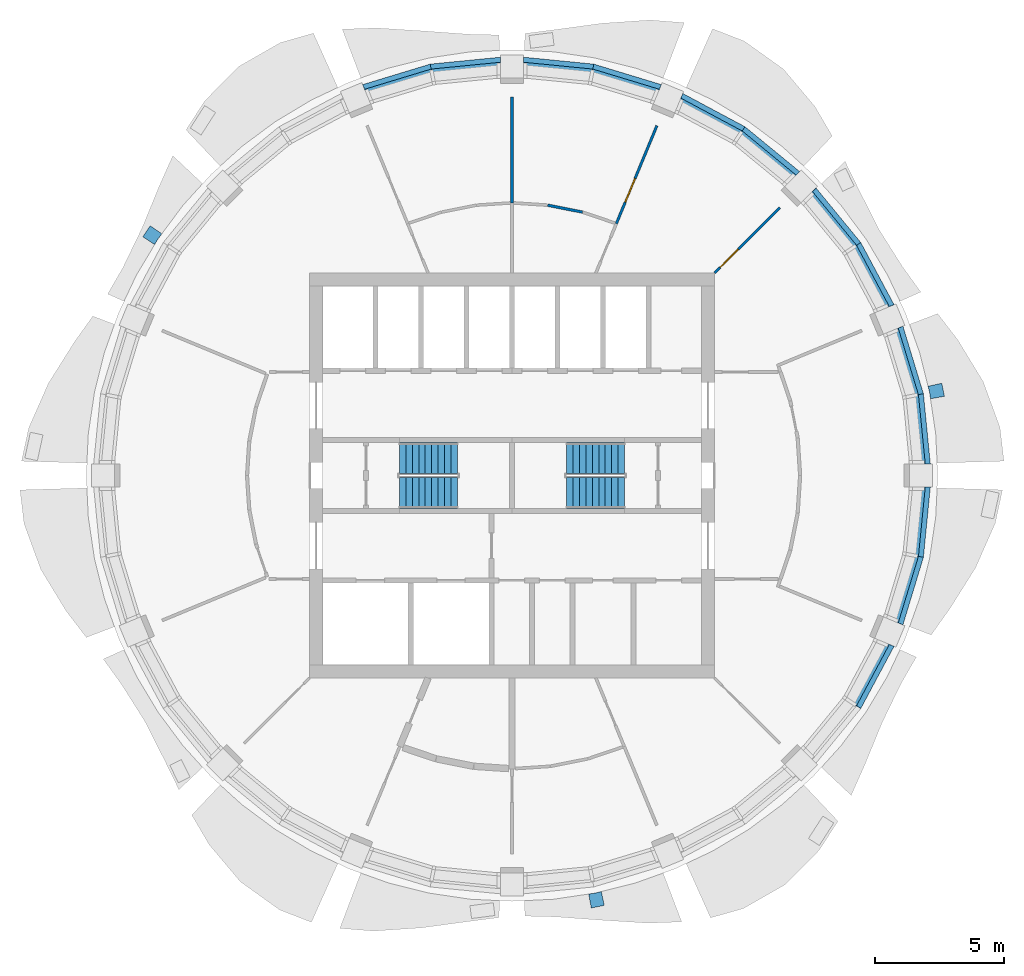
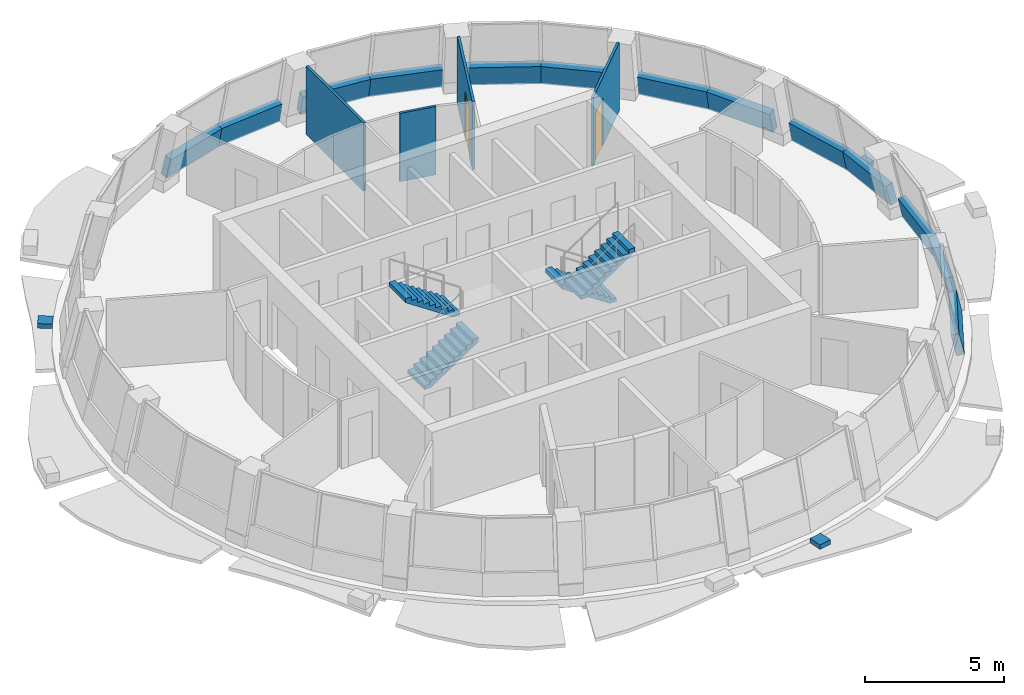
# One storey, part 7 of 11: 17 walls, 4 stair flights, 3 discrete accessories, 2 doors, 2 openings, 2 elements without a shape of their own.
"""IFC4 building model written with IfcOpenShell, lengths in metres."""

from ifc_helpers import new_model, si_unit, direction, frame, frame_2d, origin, place, context, subcontext, project, spatial, polyline, rectangle, outline, extrude, material, layer, layer_set, type_object, element, fill, aggregate, save


model = new_model("IFC4")

# Units and contexts
model_context = context("Model", 3, precision=1e-05, world=origin(), true_north=direction((0.0, 1.0)))
body_context = subcontext(model_context, "Body", "Model", "MODEL_VIEW")
ifc_project = project(units=[si_unit("LENGTHUNIT", "METRE"), si_unit("AREAUNIT", "SQUARE_METRE"), si_unit("VOLUMEUNIT", "CUBIC_METRE"), si_unit("PLANEANGLEUNIT", "RADIAN"), si_unit("MASSUNIT", "GRAM", prefix="KILO")], contexts=[model_context])

# Site, building, storey
site_placement = place(None, origin())
site = spatial("IfcSite", under=ifc_project, at=site_placement, CompositionType="ELEMENT")
building_placement = place(site_placement, origin())
building = spatial("IfcBuilding", under=site, at=building_placement, Name="Polderwave Tower", CompositionType="ELEMENT")
storey_placement = place(building_placement, frame((0.0, 0.0, 214.449951171875)))
storey = spatial("IfcBuildingStorey", under=building, at=storey_placement, Name="L58", CompositionType="ELEMENT", Elevation=214.449951171875)

# Walls
ifc_material_1 = material(Name="Concrete C50/60 (board-marked)", Category="concrete")
ifc_layer_1 = layer(ifc_material_1, 0.300048828125)
ifc_layer_set_1 = layer_set([ifc_layer_1], Name="Concrete spandrel upstand C50/60")
wall_type_1 = type_object("IfcWallType", Name="Concrete spandrel upstand C50/60", PredefinedType="SOLIDWALL", material=ifc_layer_set_1)
wall_1_placement = place(storey_placement, frame((16.260986328125, 0.452880859375, 0.0), z_axis=(0.972475963284, 0.095823605844, 0.212387234548), x_axis=(-0.098059870947, 0.995180517138, -4.32304e-06)))
element("IfcWall", 1, at=wall_1_placement, inside=storey, type_object=wall_type_1, Name="Spandrel L58 1a", PredefinedType="SOLIDWALL", context=body_context, shape_type="SweptSolid", body=[
    extrude(outline(polyline([(0.0, 0.0), (2.741723969103409, -1.3877787807814457e-17), (2.72248764532599, 0.9211743091072553), (0.01926812916566697, 0.9211502208366106), (0.0, 0.0)])), origin(), (0.0, 0.0, -1.0), 0.300048828125),
])
wall_2_placement = place(storey_placement, frame((15.9921875, 3.181396484375, 0.0), z_axis=(0.935080384239, 0.283705614751, 0.212451874952), x_axis=(-0.29033326808, 0.956925594519, -1.036426e-06)))
element("IfcWall", 2, at=wall_2_placement, inside=storey, type_object=wall_type_1, Name="Spandrel L58 1b", PredefinedType="SOLIDWALL", context=body_context, shape_type="SweptSolid", body=[
    extrude(outline(polyline([(0.0, 0.0), (2.7413701091415827, 0.0), (2.721915548947118, 0.9211783980205197), (0.019316929233884256, 0.921172623937655), (0.0, 0.0)])), origin(), (0.0, 0.0, -1.0), 0.300048828125),
])
wall_3_placement = place(storey_placement, frame((14.850341796875, 6.640869140625, 0.0), z_axis=(0.861652072417, 0.460882647705, 0.212468565072), x_axis=(-0.471651621526, 0.881784978275, 9.49098e-07)))
element("IfcWall", 3, at=wall_3_placement, inside=storey, type_object=wall_type_1, Name="Spandrel L58 2a", PredefinedType="SOLIDWALL", context=body_context, shape_type="SweptSolid", body=[
    extrude(outline(polyline([(0.0, 0.0), (2.7418591989936596, 2.7755575615628914e-17), (2.7227801463709156, 0.9211762873854703), (0.019696281501502436, 0.9211815759173496), (0.0, 0.0)])), origin(), (0.0, 0.0, -1.0), 0.300048828125),
])
wall_4_placement = place(storey_placement, frame((13.55712890625, 9.05859375, 0.0), z_axis=(0.755471298397, 0.619786234014, 0.212433851881), x_axis=(-0.634262895906, 0.77311744184, -6.31883e-07)))
element("IfcWall", 4, at=wall_4_placement, inside=storey, type_object=wall_type_1, Name="Spandrel L58 2b", PredefinedType="SOLIDWALL", context=body_context, shape_type="SweptSolid", body=[
    extrude(outline(polyline([(0.0, 0.0), (2.741026727762195, 5.551115123125783e-17), (2.721891888042317, 0.9211735773781955), (0.019377518066993598, 0.9211700573549708), (0.0, 0.0)])), origin(), (0.0, 0.0, -1.0), 0.300048828125),
])
wall_5_placement = place(storey_placement, frame((11.177734375, 11.818603515625, 0.0), z_axis=(0.619753676079, 0.755475436425, 0.21251410764), x_axis=(-0.773134668693, 0.6342418971, -5.274869e-06)))
element("IfcWall", 5, at=wall_5_placement, inside=storey, type_object=wall_type_1, Name="Spandrel L58 3a", PredefinedType="SOLIDWALL", context=body_context, shape_type="SweptSolid", body=[
    extrude(outline(polyline([(0.0, 0.0), (2.741026726929954, 0.0), (2.7218379603471505, 0.9212029611358797), (0.01913483806120599, 0.9211735749362499), (0.0, 0.0)])), origin(), (0.0, 0.0, -1.0), 0.300048828125),
])
wall_6_placement = place(storey_placement, frame((9.05859375, 13.55712890625, 0.0), z_axis=(0.460882647705, 0.861652072417, 0.212468565072), x_axis=(-0.881784978275, 0.471651621526, -9.49098e-07)))
element("IfcWall", 6, at=wall_6_placement, inside=storey, type_object=wall_type_1, Name="Spandrel L58 3b", PredefinedType="SOLIDWALL", context=body_context, shape_type="SweptSolid", body=[
    extrude(outline(polyline([(0.0, 0.0), (2.7418591989936596, -2.7755575615628914e-17), (2.7221629174921573, 0.9211815759173496), (0.019079052622744255, 0.9211762873854703), (0.0, 0.0)])), origin(), (0.0, 0.0, -1.0), 0.300048828125),
])
wall_7_placement = place(storey_placement, frame((5.8046875, 15.1962890625, 0.0), z_axis=(0.283687617525, 0.935121689346, 0.212294045554), x_axis=(-0.956933882554, 0.290305949635, -5.166321e-06)))
element("IfcWall", 7, at=wall_7_placement, inside=storey, type_object=wall_type_1, Name="Spandrel L58 4a", PredefinedType="SOLIDWALL", context=body_context, shape_type="SweptSolid", body=[
    extrude(outline(polyline([(0.0, 0.0), (2.741370108362449, 5.551115123125783e-17), (2.721819555930654, 0.921157566446272), (0.01952543967357733, 0.9211287867171416), (0.0, 0.0)])), origin(), (0.0, 0.0, -1.0), 0.300048828125),
])
wall_8_placement = place(storey_placement, frame((3.181396484375, 15.9921875, 0.0), z_axis=(0.095777528292, 0.972452991972, 0.212513160717), x_axis=(-0.995184694371, 0.098017468169, -4.940706e-06)))
element("IfcWall", 8, at=wall_8_placement, inside=storey, type_object=wall_type_1, Name="Spandrel L58 4b", PredefinedType="SOLIDWALL", context=body_context, shape_type="SweptSolid", body=[
    extrude(outline(polyline([(0.0, 0.0), (2.7417239689303967, 6.938893903907228e-18), (2.7224319045439445, 0.9212018391941157), (0.019236323432608737, 0.921174308599514), (0.0, 0.0)])), origin(), (0.0, 0.0, -1.0), 0.300048828125),
])
wall_9_placement = place(storey_placement, frame((-0.452880859375, 16.260986328125, 0.0), z_axis=(-0.095823605844, 0.972475963284, 0.212387234548), x_axis=(-0.995180517138, -0.098059870947, -4.32304e-06)))
element("IfcWall", 9, at=wall_9_placement, inside=storey, type_object=wall_type_1, Name="Spandrel L58 5a", PredefinedType="SOLIDWALL", context=body_context, shape_type="SweptSolid", body=[
    extrude(outline(polyline([(0.0, 0.0), (2.741723969103409, -1.3877787807814457e-17), (2.72248764532599, 0.9211743091072553), (0.01926812916566697, 0.9211502208366106), (0.0, 0.0)])), origin(), (0.0, 0.0, -1.0), 0.300048828125),
])
wall_10_placement = place(storey_placement, frame((-3.181396484375, 15.9921875, 0.0), z_axis=(-0.283705614751, 0.935080384239, 0.212451874952), x_axis=(-0.956925594519, -0.29033326808, -1.036426e-06)))
element("IfcWall", 10, at=wall_10_placement, inside=storey, type_object=wall_type_1, Name="Spandrel L58 5b", PredefinedType="SOLIDWALL", context=body_context, shape_type="SweptSolid", body=[
    extrude(outline(polyline([(0.0, 0.0), (2.7413701091415827, 0.0), (2.721915548947118, 0.9211783980205197), (0.019316929233884256, 0.921172623937655), (0.0, 0.0)])), origin(), (0.0, 0.0, -1.0), 0.300048828125),
])
wall_11_placement = place(storey_placement, frame((13.55712890625, -9.05859375, 0.0), z_axis=(0.861652072417, -0.460882647705, 0.212468565072), x_axis=(0.471651621526, 0.881784978275, -9.49098e-07)))
element("IfcWall", 11, at=wall_11_placement, inside=storey, type_object=wall_type_1, Name="Spandrel L58 15b", PredefinedType="SOLIDWALL", context=body_context, shape_type="SweptSolid", body=[
    extrude(outline(polyline([(0.0, 0.0), (2.7418591989936596, -2.7755575615628914e-17), (2.7221629174921573, 0.9211815759173496), (0.019079052622744255, 0.9211762873854703), (0.0, 0.0)])), origin(), (0.0, 0.0, -1.0), 0.300048828125),
])
wall_12_placement = place(storey_placement, frame((15.1962890625, -5.8046875, 0.0), z_axis=(0.935121689346, -0.283687617525, 0.212294045554), x_axis=(0.290305949635, 0.956933882554, -5.166321e-06)))
element("IfcWall", 12, at=wall_12_placement, inside=storey, type_object=wall_type_1, Name="Spandrel L58 16a", PredefinedType="SOLIDWALL", context=body_context, shape_type="SweptSolid", body=[
    extrude(outline(polyline([(0.0, 0.0), (2.741370108362449, 5.551115123125783e-17), (2.721819555930654, 0.921157566446272), (0.01952543967357733, 0.9211287867171416), (0.0, 0.0)])), origin(), (0.0, 0.0, -1.0), 0.300048828125),
])
wall_13_placement = place(storey_placement, frame((15.9921875, -3.181396484375, 0.0), z_axis=(0.972452991972, -0.095777528292, 0.212513160717), x_axis=(0.098017468169, 0.995184694371, -4.940706e-06)))
element("IfcWall", 13, at=wall_13_placement, inside=storey, type_object=wall_type_1, Name="Spandrel L58 16b", PredefinedType="SOLIDWALL", context=body_context, shape_type="SweptSolid", body=[
    extrude(outline(polyline([(0.0, 0.0), (2.7417239689303967, 6.938893903907228e-18), (2.7224319045439445, 0.9212018391941157), (0.019236323432608737, 0.921174308599514), (0.0, 0.0)])), origin(), (0.0, 0.0, -1.0), 0.300048828125),
])

# Wall, opening, door
ifc_material_2 = material(Name="Plasterboard on steel studs", Category="steel")
ifc_layer_2 = layer(ifc_material_2, 0.10009765625)
ifc_layer_set_2 = layer_set([ifc_layer_2], Name="Partition 100 mm plasterboard on steel studs")
wall_type_2 = type_object("IfcWallType", Name="Partition 100 mm plasterboard on steel studs", PredefinedType="PARTITIONING", material=ifc_layer_set_2)
wall_14_placement = place(storey_placement, frame((7.8740234375, 7.8740234375, 0.0), z_axis=(0.0, 0.0, 1.0), x_axis=(0.707106781187, 0.707106781187, 0.0)))
wall_14 = element("IfcWall", 14, at=wall_14_placement, inside=storey, type_object=wall_type_2, Name="IN-L58-W021", PredefinedType="PARTITIONING", context=body_context, shape_type="SweptSolid", body=[
    extrude(rectangle(XDim=3.58447265625, YDim=0.10009765625, at=frame_2d((1.792236328125, 0.0))), origin(), (0.0, 0.0, 1.0), 3.0),
])
opening_1_placement = place(wall_14_placement, frame((0.300048828125, 0.0, 0.0)))
opening_1 = element("IfcOpeningElement", 15, at=opening_1_placement, cuts=wall_14, Name="Opening L58-D56", PredefinedType="OPENING", context=body_context, shape_type="SweptSolid", body=[
    extrude(rectangle(XDim=1.0, YDim=2.10009765625, at=frame_2d((0.5, 1.050048828125))), frame((0.0, 0.06005859375, 0.0), z_axis=(0.0, -1.0, 0.0), x_axis=(1.0, 0.0, 0.0)), (0.0, 0.0, 1.0), 0.1201171875),
])
ifc_material_3 = material(Name="Timber veneer door leaf", Category="wood")
door_type = type_object("IfcDoorType", Name="Single door 1000 x 2100", OperationType="NOTDEFINED", PredefinedType="DOOR", material=ifc_material_3)
door_1_placement = place(opening_1_placement, origin())
door_1 = element("IfcDoor", 16, at=door_1_placement, inside=storey, type_object=door_type, Name="Door L58-D56", OperationType="SINGLE_SWING_LEFT", OverallHeight=2.10009765625, OverallWidth=1.0, PredefinedType="DOOR", context=body_context, shape_type="SweptSolid", body=[
    extrude(rectangle(XDim=1.0, YDim=2.10009765625, at=frame_2d((0.5, 1.050048828125))), frame((0.0, 0.02490234375, 0.0), z_axis=(0.0, -1.0, 0.0), x_axis=(1.0, 0.0, 0.0)), (0.0, 0.0, 1.0), 0.050048828125),
])
fill(opening_1, door_1)

wall_15_placement = place(storey_placement, frame((4.056396484375, 9.793212890625, 0.0), z_axis=(0.0, 0.0, 1.0), x_axis=(0.382683247702, 0.923879609001, 0.0)))
wall_15 = element("IfcWall", 17, at=wall_15_placement, inside=storey, type_object=wall_type_2, Name="IN-L58-W027", PredefinedType="PARTITIONING", context=body_context, shape_type="SweptSolid", body=[
    extrude(rectangle(XDim=4.1201171875, YDim=0.10009765625, at=frame_2d((2.06005859375, 0.0))), origin(), (0.0, 0.0, 1.0), 3.0),
])
opening_2_placement = place(wall_15_placement, frame((0.89990234375, 0.0, 0.0)))
opening_2 = element("IfcOpeningElement", 18, at=opening_2_placement, cuts=wall_15, Name="Opening L58-D58", PredefinedType="OPENING", context=body_context, shape_type="SweptSolid", body=[
    extrude(rectangle(XDim=1.0, YDim=2.10009765625, at=frame_2d((0.5, 1.050048828125))), frame((0.0, 0.06005859375, 0.0), z_axis=(0.0, -1.0, 0.0), x_axis=(1.0, 0.0, 0.0)), (0.0, 0.0, 1.0), 0.1201171875),
])
door_2_placement = place(opening_2_placement, origin())
door_2 = element("IfcDoor", 19, at=door_2_placement, inside=storey, type_object=door_type, Name="Door L58-D58", OperationType="SINGLE_SWING_LEFT", OverallHeight=2.10009765625, OverallWidth=1.0, PredefinedType="DOOR", context=body_context, shape_type="SweptSolid", body=[
    extrude(rectangle(XDim=1.0, YDim=2.10009765625, at=frame_2d((0.5, 1.050048828125))), frame((0.0, 0.02490234375, 0.0), z_axis=(0.0, -1.0, 0.0), x_axis=(1.0, 0.0, 0.0)), (0.0, 0.0, 1.0), 0.050048828125),
])
fill(opening_2, door_2)

# Walls
ifc_material_4 = material(Name="Moisture-resistant board on steel studs, tiled", Category="steel")
ifc_layer_3 = layer(ifc_material_4, 0.10498046875)
ifc_layer_set_3 = layer_set([ifc_layer_3], Name="Partition 105 mm wet room board and tile")
wall_type_3 = type_object("IfcWallType", Name="Partition 105 mm wet room board and tile", PredefinedType="PARTITIONING", material=ifc_layer_set_3)
wall_16_placement = place(storey_placement, frame((1.386962890625, 10.508544921875, 0.0), z_axis=(0.0, 0.0, 1.0), x_axis=(0.980797886825, -0.195026934551, 0.0)))
element("IfcWall", 20, at=wall_16_placement, inside=storey, type_object=wall_type_3, Name="IN-L58-W023", PredefinedType="PARTITIONING", context=body_context, shape_type="SweptSolid", body=[
    extrude(rectangle(XDim=1.379638671875, YDim=0.10498046875, at=frame_2d((0.68994140625, 0.0))), origin(), (0.0, 0.0, 1.0), 3.0),
])
ifc_material_5 = material(Name="Acoustic double plasterboard on steel studs", Category="steel")
ifc_layer_4 = layer(ifc_material_5, 0.110107421875)
ifc_layer_set_4 = layer_set([ifc_layer_4], Name="Partition 110 mm acoustic double board")
wall_type_4 = type_object("IfcWallType", Name="Partition 110 mm acoustic double board", PredefinedType="PARTITIONING", material=ifc_layer_set_4)
wall_17_placement = place(storey_placement, frame((0.0, 10.60009765625, 0.0), z_axis=(0.0, 0.0, 1.0), x_axis=(0.0, 1.0, 0.0)))
element("IfcWall", 21, at=wall_17_placement, inside=storey, type_object=wall_type_4, Name="IN-L58-W028", PredefinedType="PARTITIONING", context=body_context, shape_type="SweptSolid", body=[
    extrude(rectangle(XDim=4.119873046875, YDim=0.110107421875, at=frame_2d((2.06005859375, 0.0))), origin(), (0.0, 0.0, 1.0), 3.0),
])

# Stair, stair flights
ifc_material_6 = material(Name="Concrete C40/50", Category="concrete")
stair_type = type_object("IfcStairType", Name="Exit stair 1200 x 20 risers", PredefinedType="HALF_TURN_STAIR", material=ifc_material_6)
stair_1_placement = place(storey_placement, origin())
stair_1 = element("IfcStair", 22, at=stair_1_placement, inside=storey, type_object=stair_type, Name="L58 Exit stair A", PredefinedType="HALF_TURN_STAIR")
stair_flight_type = type_object("IfcStairFlightType", Name="Stair flight 1200", PredefinedType="STRAIGHT", material=ifc_material_6)
stair_flight_1_placement = place(storey_placement, frame((-4.3740234375, -0.675048828125, 0.0), z_axis=(0.0, 0.0, 1.0), x_axis=(1.0, 0.0, 0.0)))
stair_flight_1 = element("IfcStairFlight", 23, at=stair_flight_1_placement, type_object=stair_flight_type, Name="ST-A flight 1", NumberOfRisers=10, NumberOfTreads=9, PredefinedType="STRAIGHT", RiserHeight=0.1675, TreadLength=0.25, context=body_context, shape_type="SweptSolid", body=[
    extrude(outline(polyline([(0.0, 0.0), (0.0, 0.16748046875), (0.25, 0.16748046875), (0.25, 0.3349609375), (0.5, 0.3349609375), (0.5, 0.50244140625), (0.75, 0.50244140625), (0.75, 0.669921875), (1.0, 0.669921875), (1.0, 0.83740234375), (1.25, 0.83740234375), (1.25, 1.0048828125), (1.5, 1.0048828125), (1.5, 1.172607421875), (1.75, 1.172607421875), (1.75, 1.340087890625), (2.0, 1.340087890625), (2.0, 1.507568359375), (2.25, 1.507568359375), (2.25, 1.675048828125), (2.25, 1.3271484375), (0.269287109375, 0.0), (0.0, 0.0)])), frame((0.0, 0.60009765625, 0.0), z_axis=(0.0, -1.0, 0.0), x_axis=(1.0, 0.0, 0.0)), (0.0, 0.0, 1.0), 1.199951171875),
])
stair_flight_2_placement = place(storey_placement, frame((-2.1240234375, 0.675048828125, 1.675048828125), z_axis=(0.0, 0.0, 1.0), x_axis=(-1.0, 0.0, 0.0)))
stair_flight_2 = element("IfcStairFlight", 24, at=stair_flight_2_placement, type_object=stair_flight_type, Name="ST-A flight 2", NumberOfRisers=10, NumberOfTreads=9, PredefinedType="STRAIGHT", RiserHeight=0.1675, TreadLength=0.25, context=body_context, shape_type="SweptSolid", body=[
    extrude(outline(polyline([(0.0, 0.0), (0.0, 0.16748046875), (0.25, 0.16748046875), (0.25, 0.3349609375), (0.5, 0.3349609375), (0.5, 0.50244140625), (0.75, 0.50244140625), (0.75, 0.669921875), (1.0, 0.669921875), (1.0, 0.83740234375), (1.25, 0.83740234375), (1.25, 1.0048828125), (1.5, 1.0048828125), (1.5, 1.172607421875), (1.75, 1.172607421875), (1.75, 1.340087890625), (2.0, 1.340087890625), (2.0, 1.507568359375), (2.25, 1.507568359375), (2.25, 1.675048828125), (2.25, 1.3271484375), (0.269287109375, 0.0), (0.0, 0.0)])), frame((0.0, 0.60009765625, 0.0), z_axis=(0.0, -1.0, 0.0), x_axis=(1.0, 0.0, 0.0)), (0.0, 0.0, 1.0), 1.199951171875),
])
aggregate(stair_1, [stair_flight_1, stair_flight_2])

stair_2_placement = place(storey_placement, origin())
stair_2 = element("IfcStair", 25, at=stair_2_placement, inside=storey, type_object=stair_type, Name="L58 Exit stair B", PredefinedType="HALF_TURN_STAIR")
stair_flight_3_placement = place(storey_placement, frame((4.3740234375, 0.675048828125, 0.0), z_axis=(0.0, 0.0, 1.0), x_axis=(-1.0, 0.0, 0.0)))
stair_flight_3 = element("IfcStairFlight", 26, at=stair_flight_3_placement, type_object=stair_flight_type, Name="ST-B flight 1", NumberOfRisers=10, NumberOfTreads=9, PredefinedType="STRAIGHT", RiserHeight=0.1675, TreadLength=0.25, context=body_context, shape_type="SweptSolid", body=[
    extrude(outline(polyline([(0.0, 0.0), (0.0, 0.16748046875), (0.25, 0.16748046875), (0.25, 0.3349609375), (0.5, 0.3349609375), (0.5, 0.50244140625), (0.75, 0.50244140625), (0.75, 0.669921875), (1.0, 0.669921875), (1.0, 0.83740234375), (1.25, 0.83740234375), (1.25, 1.0048828125), (1.5, 1.0048828125), (1.5, 1.172607421875), (1.75, 1.172607421875), (1.75, 1.340087890625), (2.0, 1.340087890625), (2.0, 1.507568359375), (2.25, 1.507568359375), (2.25, 1.675048828125), (2.25, 1.3271484375), (0.269287109375, 0.0), (0.0, 0.0)])), frame((0.0, 0.60009765625, 0.0), z_axis=(0.0, -1.0, 0.0), x_axis=(1.0, 0.0, 0.0)), (0.0, 0.0, 1.0), 1.199951171875),
])
stair_flight_4_placement = place(storey_placement, frame((2.1240234375, -0.675048828125, 1.675048828125), z_axis=(0.0, 0.0, 1.0), x_axis=(1.0, 0.0, 0.0)))
stair_flight_4 = element("IfcStairFlight", 27, at=stair_flight_4_placement, type_object=stair_flight_type, Name="ST-B flight 2", NumberOfRisers=10, NumberOfTreads=9, PredefinedType="STRAIGHT", RiserHeight=0.1675, TreadLength=0.25, context=body_context, shape_type="SweptSolid", body=[
    extrude(outline(polyline([(0.0, 0.0), (0.0, 0.16748046875), (0.25, 0.16748046875), (0.25, 0.3349609375), (0.5, 0.3349609375), (0.5, 0.50244140625), (0.75, 0.50244140625), (0.75, 0.669921875), (1.0, 0.669921875), (1.0, 0.83740234375), (1.25, 0.83740234375), (1.25, 1.0048828125), (1.5, 1.0048828125), (1.5, 1.172607421875), (1.75, 1.172607421875), (1.75, 1.340087890625), (2.0, 1.340087890625), (2.0, 1.507568359375), (2.25, 1.507568359375), (2.25, 1.675048828125), (2.25, 1.3271484375), (0.269287109375, 0.0), (0.0, 0.0)])), frame((0.0, 0.60009765625, 0.0), z_axis=(0.0, -1.0, 0.0), x_axis=(1.0, 0.0, 0.0)), (0.0, 0.0, 1.0), 1.199951171875),
])
aggregate(stair_2, [stair_flight_3, stair_flight_4])

# Discrete accessories
ifc_material_7 = material(Name="Steel S355", Category="steel")
discrete_accessory_type = type_object("IfcDiscreteAccessoryType", Name="Band bracket pad", PredefinedType="BRACKET", material=ifc_material_7)
discrete_accessory_1_placement = place(storey_placement, frame((0.0, 0.0, -0.199951171875)))
element("IfcDiscreteAccessory", 28, at=discrete_accessory_1_placement, inside=storey, type_object=discrete_accessory_type, Name="Band bracket L58 1", PredefinedType="BRACKET", context=body_context, shape_type="SweptSolid", body=[
    extrude(outline(polyline([(16.268798828125, 2.9814453125), (16.23193359375, 3.228759765625), (16.17138671875, 3.47119140625), (16.708984375, 3.586669921875), (16.809814453125, 3.08056640625), (16.268798828125, 2.9814453125)])), origin(), (0.0, 0.0, 1.0), 0.199951171875),
])
discrete_accessory_2_placement = place(storey_placement, frame((0.0, 0.0, -0.199951171875)))
element("IfcDiscreteAccessory", 29, at=discrete_accessory_2_placement, inside=storey, type_object=discrete_accessory_type, Name="Band bracket L58 7", PredefinedType="BRACKET", context=body_context, shape_type="SweptSolid", body=[
    extrude(outline(polyline([(-13.61181640625, 9.3955078125), (-13.7607421875, 9.194580078125), (-13.889404296875, 8.980224609375), (-14.351318359375, 9.27880859375), (-14.064453125, 9.7080078125), (-13.61181640625, 9.3955078125)])), origin(), (0.0, 0.0, 1.0), 0.199951171875),
])
discrete_accessory_3_placement = place(storey_placement, frame((0.0, 0.0, -0.199951171875)))
element("IfcDiscreteAccessory", 30, at=discrete_accessory_3_placement, inside=storey, type_object=discrete_accessory_type, Name="Band bracket L58 13", PredefinedType="BRACKET", context=body_context, shape_type="SweptSolid", body=[
    extrude(outline(polyline([(2.9814453125, -16.268798828125), (3.228759765625, -16.23193359375), (3.47119140625, -16.17138671875), (3.586669921875, -16.708984375), (3.08056640625, -16.809814453125), (2.9814453125, -16.268798828125)])), origin(), (0.0, 0.0, 1.0), 0.199951171875),
])

save(model, "model.ifc")
